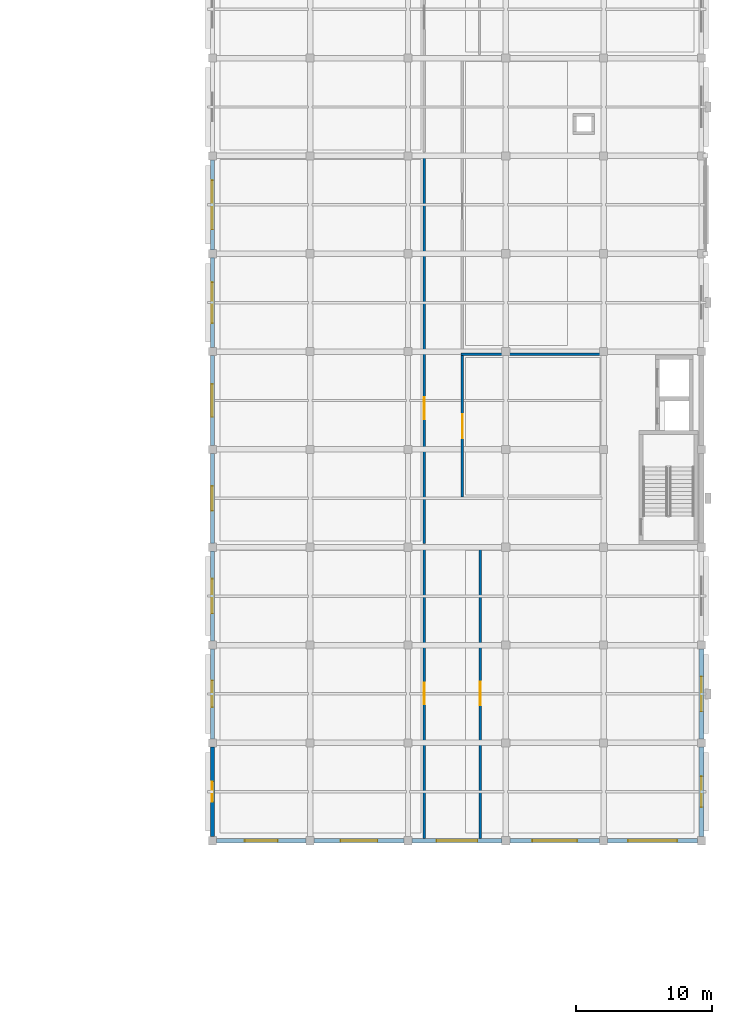
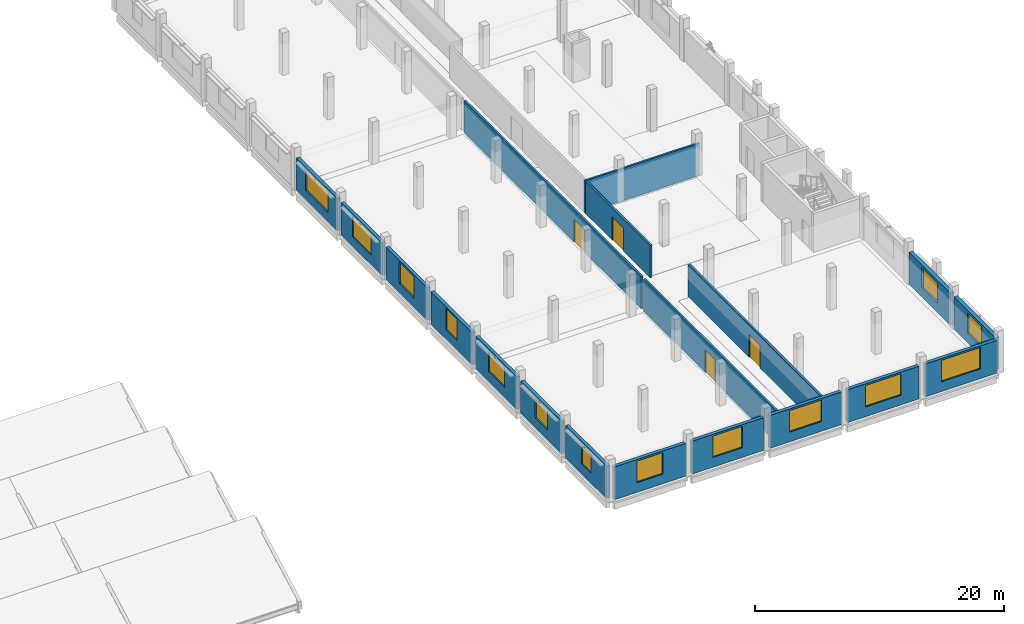
# One storey, part 37 of 51: 19 walls, 14 windows, 4 doors, 18 openings.
"""IFC4 building model written with IfcOpenShell, lengths in metres."""

from ifc_helpers import new_model, si_unit, direction, frame, frame_2d, origin, place, context, subcontext, project, spatial, rectangle, extrude, material, layer, layer_set, type_object, element, fill, save


model = new_model("IFC4")

# Units and contexts
model_context = context("Model", 3, precision=1e-05, world=origin(), true_north=direction((0.0, 1.0)))
body_context = subcontext(model_context, "Body", "Model", "MODEL_VIEW")
ifc_project = project(units=[si_unit("LENGTHUNIT", "METRE"), si_unit("AREAUNIT", "SQUARE_METRE"), si_unit("VOLUMEUNIT", "CUBIC_METRE"), si_unit("PLANEANGLEUNIT", "RADIAN"), si_unit("MASSUNIT", "GRAM", prefix="KILO")], contexts=[model_context])

# Site, building, storey
site_placement = place(None, origin())
site = spatial("IfcSite", under=ifc_project, at=site_placement, CompositionType="ELEMENT")
building_placement = place(site_placement, origin())
building = spatial("IfcBuilding", under=site, at=building_placement, Name="Valkovuoma Quantum and Materials Research Institute", CompositionType="ELEMENT")
storey_placement = place(building_placement, frame((0.0, 0.0, 17.280029296875)))
storey = spatial("IfcBuildingStorey", under=building, at=storey_placement, Name="L04", CompositionType="ELEMENT", Elevation=17.280029296875)

# Wall, opening, window
ifc_material_1 = material(Name="Precast concrete C40/50", Category="concrete")
ifc_layer_1 = layer(ifc_material_1, 0.300048828125)
ifc_layer_set_1 = layer_set([ifc_layer_1], Name="Precast concrete C40/50")
wall_type_1 = type_object("IfcWallType", Name="Wall-W-EXT300", PredefinedType="SOLIDWALL", material=ifc_layer_set_1)
wall_1_placement = place(storey_placement, frame((129.60009765625, 36.2900390625, 0.0), z_axis=(0.0, 0.0, 1.0), x_axis=(0.0, 1.0, 0.0)))
wall_1 = element("IfcWall", 1, at=wall_1_placement, inside=storey, type_object=wall_type_1, Name="L04 exterior wall 0317", PredefinedType="SOLIDWALL", context=body_context, shape_type="SweptSolid", body=[
    extrude(rectangle(XDim=6.619873046875, YDim=0.300048828125, at=frame_2d((3.31005859375, 0.0))), origin(), (0.0, 0.0, 1.0), 3.159912109375),
])
opening_1_placement = place(wall_1_placement, frame((2.56005859375, 0.0, 0.949951171875)))
opening_1 = element("IfcOpeningElement", 2, at=opening_1_placement, cuts=wall_1, Name="Opening WN-WL15", PredefinedType="OPENING", context=body_context, shape_type="SweptSolid", body=[
    extrude(rectangle(XDim=1.5, YDim=1.800048828125, at=frame_2d((0.75, 0.89990234375))), frame((0.0, 0.16015625, 0.0), z_axis=(0.0, -1.0, 0.0), x_axis=(1.0, 0.0, 0.0)), (0.0, 0.0, 1.0), 0.320068359375),
])
ifc_material_2 = material(Name="Triple low-E argon glazing in thermally broken aluminium frame", Category="aluminium")
window_type_1 = type_object("IfcWindowType", Name="Win-WN-WL15", PartitioningType="SINGLE_PANEL", PredefinedType="WINDOW", material=ifc_material_2)
window_1_placement = place(opening_1_placement, origin())
window_1 = element("IfcWindow", 3, at=window_1_placement, inside=storey, type_object=window_type_1, Name="L04 window 0323", OverallHeight=1.800048828125, OverallWidth=1.5, PartitioningType="SINGLE_PANEL", PredefinedType="WINDOW", context=body_context, shape_type="SweptSolid", body=[
    extrude(rectangle(XDim=1.5, YDim=1.800048828125, at=frame_2d((0.75, 0.89990234375))), frame((0.0, 0.030029296875, 0.0), z_axis=(0.0, -1.0, 0.0), x_axis=(1.0, 0.0, 0.0)), (0.0, 0.0, 1.0), 0.06005859375),
])
fill(opening_1, window_1)

wall_2_placement = place(storey_placement, frame((129.60009765625, 43.489990234375, 0.0), z_axis=(0.0, 0.0, 1.0), x_axis=(0.0, 1.0, 0.0)))
wall_2 = element("IfcWall", 4, at=wall_2_placement, inside=storey, type_object=wall_type_1, Name="L04 exterior wall 0318", PredefinedType="SOLIDWALL", context=body_context, shape_type="SweptSolid", body=[
    extrude(rectangle(XDim=6.6201171875, YDim=0.300048828125, at=frame_2d((3.31005859375, 0.0))), origin(), (0.0, 0.0, 1.0), 3.159912109375),
])
opening_2_placement = place(wall_2_placement, frame((2.3349609375, 0.0, 0.949951171875)))
opening_2 = element("IfcOpeningElement", 5, at=opening_2_placement, cuts=wall_2, Name="Opening WN-WL17", PredefinedType="OPENING", context=body_context, shape_type="SweptSolid", body=[
    extrude(rectangle(XDim=1.949951171875, YDim=1.949951171875, at=frame_2d((0.97509765625, 0.97509765625))), frame((0.0, 0.16015625, 0.0), z_axis=(0.0, -1.0, 0.0), x_axis=(1.0, 0.0, 0.0)), (0.0, 0.0, 1.0), 0.320068359375),
])
ifc_material_3 = material(Name="Triple low-E argon glazing in thermally broken aluminium frame", Category="aluminium")
window_type_2 = type_object("IfcWindowType", Name="Win-WN-WL17", PartitioningType="SINGLE_PANEL", PredefinedType="WINDOW", material=ifc_material_3)
window_2_placement = place(opening_2_placement, origin())
window_2 = element("IfcWindow", 6, at=window_2_placement, inside=storey, type_object=window_type_2, Name="L04 window 0324", OverallHeight=1.949951171875, OverallWidth=1.949951171875, PartitioningType="SINGLE_PANEL", PredefinedType="WINDOW", context=body_context, shape_type="SweptSolid", body=[
    extrude(rectangle(XDim=1.949951171875, YDim=1.949951171875, at=frame_2d((0.97509765625, 0.97509765625))), frame((0.0, 0.030029296875, 0.0), z_axis=(0.0, -1.0, 0.0), x_axis=(1.0, 0.0, 0.0)), (0.0, 0.0, 1.0), 0.06005859375),
])
fill(opening_2, window_2)

wall_3_placement = place(storey_placement, frame((129.60009765625, 50.68994140625, 0.0), z_axis=(0.0, 0.0, 1.0), x_axis=(0.0, 1.0, 0.0)))
wall_3 = element("IfcWall", 7, at=wall_3_placement, inside=storey, type_object=wall_type_1, Name="L04 exterior wall 0319", PredefinedType="SOLIDWALL", context=body_context, shape_type="SweptSolid", body=[
    extrude(rectangle(XDim=6.6201171875, YDim=0.300048828125, at=frame_2d((3.31005859375, 0.0))), origin(), (0.0, 0.0, 1.0), 3.159912109375),
])
opening_3_placement = place(wall_3_placement, frame((2.034912109375, 0.0, 0.949951171875)))
opening_3 = element("IfcOpeningElement", 8, at=opening_3_placement, cuts=wall_3, Name="Opening WN-WL19", PredefinedType="OPENING", context=body_context, shape_type="SweptSolid", body=[
    extrude(rectangle(XDim=2.550048828125, YDim=1.949951171875, at=frame_2d((1.27490234375, 0.97509765625))), frame((0.0, 0.16015625, 0.0), z_axis=(0.0, -1.0, 0.0), x_axis=(1.0, 0.0, 0.0)), (0.0, 0.0, 1.0), 0.320068359375),
])
ifc_material_4 = material(Name="Triple low-E argon glazing in thermally broken aluminium frame", Category="aluminium")
window_type_3 = type_object("IfcWindowType", Name="Win-WN-WL19", PartitioningType="SINGLE_PANEL", PredefinedType="WINDOW", material=ifc_material_4)
window_3_placement = place(opening_3_placement, origin())
window_3 = element("IfcWindow", 9, at=window_3_placement, inside=storey, type_object=window_type_3, Name="L04 window 0325", OverallHeight=1.949951171875, OverallWidth=2.550048828125, PartitioningType="SINGLE_PANEL", PredefinedType="WINDOW", context=body_context, shape_type="SweptSolid", body=[
    extrude(rectangle(XDim=2.550048828125, YDim=1.949951171875, at=frame_2d((1.27490234375, 0.97509765625))), frame((0.0, 0.030029296875, 0.0), z_axis=(0.0, -1.0, 0.0), x_axis=(1.0, 0.0, 0.0)), (0.0, 0.0, 1.0), 0.06005859375),
])
fill(opening_3, window_3)

wall_4_placement = place(storey_placement, frame((129.60009765625, 57.889892578125, 0.0), z_axis=(0.0, 0.0, 1.0), x_axis=(0.0, 1.0, 0.0)))
wall_4 = element("IfcWall", 10, at=wall_4_placement, inside=storey, type_object=wall_type_1, Name="L04 exterior wall 0320", PredefinedType="SOLIDWALL", context=body_context, shape_type="SweptSolid", body=[
    extrude(rectangle(XDim=6.6201171875, YDim=0.300048828125, at=frame_2d((3.31005859375, 0.0))), origin(), (0.0, 0.0, 1.0), 3.159912109375),
])
opening_4_placement = place(wall_4_placement, frame((2.409912109375, 0.0, 0.89990234375)))
opening_4 = element("IfcOpeningElement", 11, at=opening_4_placement, cuts=wall_4, Name="Opening WN-WL01", PredefinedType="OPENING", context=body_context, shape_type="SweptSolid", body=[
    extrude(rectangle(XDim=1.800048828125, YDim=2.10009765625, at=frame_2d((0.89990234375, 1.050048828125))), frame((0.0, 0.16015625, 0.0), z_axis=(0.0, -1.0, 0.0), x_axis=(1.0, 0.0, 0.0)), (0.0, 0.0, 1.0), 0.320068359375),
])
ifc_material_5 = material(Name="Triple low-E argon glazing in thermally broken aluminium frame", Category="aluminium")
window_type_4 = type_object("IfcWindowType", Name="Win-WN-WL01", PartitioningType="SINGLE_PANEL", PredefinedType="WINDOW", material=ifc_material_5)
window_4_placement = place(opening_4_placement, origin())
window_4 = element("IfcWindow", 12, at=window_4_placement, inside=storey, type_object=window_type_4, Name="L04 window 0326", OverallHeight=2.10009765625, OverallWidth=1.800048828125, PartitioningType="SINGLE_PANEL", PredefinedType="WINDOW", context=body_context, shape_type="SweptSolid", body=[
    extrude(rectangle(XDim=1.800048828125, YDim=2.10009765625, at=frame_2d((0.89990234375, 1.050048828125))), frame((0.0, 0.030029296875, 0.0), z_axis=(0.0, -1.0, 0.0), x_axis=(1.0, 0.0, 0.0)), (0.0, 0.0, 1.0), 0.06005859375),
])
fill(opening_4, window_4)

wall_5_placement = place(storey_placement, frame((129.60009765625, 65.090087890625, 0.0), z_axis=(0.0, 0.0, 1.0), x_axis=(0.0, 1.0, 0.0)))
wall_5 = element("IfcWall", 13, at=wall_5_placement, inside=storey, type_object=wall_type_1, Name="L04 exterior wall 0321", PredefinedType="SOLIDWALL", context=body_context, shape_type="SweptSolid", body=[
    extrude(rectangle(XDim=6.619873046875, YDim=0.300048828125, at=frame_2d((3.31005859375, 0.0))), origin(), (0.0, 0.0, 1.0), 3.159912109375),
])
opening_5_placement = place(wall_5_placement, frame((2.110107421875, 0.0, 0.89990234375)))
opening_5 = element("IfcOpeningElement", 14, at=opening_5_placement, cuts=wall_5, Name="Opening WN-WL03", PredefinedType="OPENING", context=body_context, shape_type="SweptSolid", body=[
    extrude(rectangle(XDim=2.39990234375, YDim=2.10009765625, at=frame_2d((1.199951171875, 1.050048828125))), frame((0.0, 0.16015625, 0.0), z_axis=(0.0, -1.0, 0.0), x_axis=(1.0, 0.0, 0.0)), (0.0, 0.0, 1.0), 0.320068359375),
])
ifc_material_6 = material(Name="Triple low-E argon glazing in thermally broken aluminium frame", Category="aluminium")
window_type_5 = type_object("IfcWindowType", Name="Win-WN-WL03", PartitioningType="SINGLE_PANEL", PredefinedType="WINDOW", material=ifc_material_6)
window_5_placement = place(opening_5_placement, origin())
window_5 = element("IfcWindow", 15, at=window_5_placement, inside=storey, type_object=window_type_5, Name="L04 window 0327", OverallHeight=2.10009765625, OverallWidth=2.39990234375, PartitioningType="SINGLE_PANEL", PredefinedType="WINDOW", context=body_context, shape_type="SweptSolid", body=[
    extrude(rectangle(XDim=2.39990234375, YDim=2.10009765625, at=frame_2d((1.199951171875, 1.050048828125))), frame((0.0, 0.030029296875, 0.0), z_axis=(0.0, -1.0, 0.0), x_axis=(1.0, 0.0, 0.0)), (0.0, 0.0, 1.0), 0.06005859375),
])
fill(opening_5, window_5)

wall_6_placement = place(storey_placement, frame((129.60009765625, 72.2900390625, 0.0), z_axis=(0.0, 0.0, 1.0), x_axis=(0.0, 1.0, 0.0)))
wall_6 = element("IfcWall", 16, at=wall_6_placement, inside=storey, type_object=wall_type_1, Name="L04 exterior wall 0322", PredefinedType="SOLIDWALL", context=body_context, shape_type="SweptSolid", body=[
    extrude(rectangle(XDim=6.619873046875, YDim=0.300048828125, at=frame_2d((3.31005859375, 0.0))), origin(), (0.0, 0.0, 1.0), 3.159912109375),
])
opening_6_placement = place(wall_6_placement, frame((1.81005859375, 0.0, 0.89990234375)))
opening_6 = element("IfcOpeningElement", 17, at=opening_6_placement, cuts=wall_6, Name="Opening WN-WL05", PredefinedType="OPENING", context=body_context, shape_type="SweptSolid", body=[
    extrude(rectangle(XDim=3.0, YDim=2.10009765625, at=frame_2d((1.5, 1.050048828125))), frame((0.0, 0.16015625, 0.0), z_axis=(0.0, -1.0, 0.0), x_axis=(1.0, 0.0, 0.0)), (0.0, 0.0, 1.0), 0.320068359375),
])
ifc_material_7 = material(Name="Triple low-E argon glazing in thermally broken aluminium frame", Category="aluminium")
window_type_6 = type_object("IfcWindowType", Name="Win-WN-WL05", PartitioningType="SINGLE_PANEL", PredefinedType="WINDOW", material=ifc_material_7)
window_6_placement = place(opening_6_placement, origin())
window_6 = element("IfcWindow", 18, at=window_6_placement, inside=storey, type_object=window_type_6, Name="L04 window 0328", OverallHeight=2.10009765625, OverallWidth=3.0, PartitioningType="SINGLE_PANEL", PredefinedType="WINDOW", context=body_context, shape_type="SweptSolid", body=[
    extrude(rectangle(XDim=3.0, YDim=2.10009765625, at=frame_2d((1.5, 1.050048828125))), frame((0.0, 0.030029296875, 0.0), z_axis=(0.0, -1.0, 0.0), x_axis=(1.0, 0.0, 0.0)), (0.0, 0.0, 1.0), 0.06005859375),
])
fill(opening_6, window_6)

wall_7_placement = place(storey_placement, frame((129.60009765625, 79.489990234375, 0.0), z_axis=(0.0, 0.0, 1.0), x_axis=(0.0, 1.0, 0.0)))
wall_7 = element("IfcWall", 19, at=wall_7_placement, inside=storey, type_object=wall_type_1, Name="L04 exterior wall 0323", PredefinedType="SOLIDWALL", context=body_context, shape_type="SweptSolid", body=[
    extrude(rectangle(XDim=6.6201171875, YDim=0.300048828125, at=frame_2d((3.31005859375, 0.0))), origin(), (0.0, 0.0, 1.0), 3.159912109375),
])
opening_7_placement = place(wall_7_placement, frame((1.510009765625, 0.0, 0.89990234375)))
opening_7 = element("IfcOpeningElement", 20, at=opening_7_placement, cuts=wall_7, Name="Opening WN-WL07", PredefinedType="OPENING", context=body_context, shape_type="SweptSolid", body=[
    extrude(rectangle(XDim=3.60009765625, YDim=2.10009765625, at=frame_2d((1.800048828125, 1.050048828125))), frame((0.0, 0.16015625, 0.0), z_axis=(0.0, -1.0, 0.0), x_axis=(1.0, 0.0, 0.0)), (0.0, 0.0, 1.0), 0.320068359375),
])
ifc_material_8 = material(Name="Triple low-E argon glazing in thermally broken aluminium frame", Category="aluminium")
window_type_7 = type_object("IfcWindowType", Name="Win-WN-WL07", PartitioningType="SINGLE_PANEL", PredefinedType="WINDOW", material=ifc_material_8)
window_7_placement = place(opening_7_placement, origin())
window_7 = element("IfcWindow", 21, at=window_7_placement, inside=storey, type_object=window_type_7, Name="L04 window 0329", OverallHeight=2.10009765625, OverallWidth=3.60009765625, PartitioningType="SINGLE_PANEL", PredefinedType="WINDOW", context=body_context, shape_type="SweptSolid", body=[
    extrude(rectangle(XDim=3.60009765625, YDim=2.10009765625, at=frame_2d((1.800048828125, 1.050048828125))), frame((0.0, 0.030029296875, 0.0), z_axis=(0.0, -1.0, 0.0), x_axis=(1.0, 0.0, 0.0)), (0.0, 0.0, 1.0), 0.06005859375),
])
fill(opening_7, window_7)

ifc_material_9 = material(Name="Precast concrete C40/50", Category="concrete")
ifc_layer_2 = layer(ifc_material_9, 0.320068359375)
ifc_layer_set_2 = layer_set([ifc_layer_2], Name="Precast concrete C40/50")
wall_type_2 = type_object("IfcWallType", Name="Wall-W-EXT320", PredefinedType="SOLIDWALL", material=ifc_layer_set_2)
wall_8_placement = place(storey_placement, frame((129.889892578125, 36.0, 0.0), z_axis=(0.0, 0.0, 1.0), x_axis=(1.0, 0.0, 0.0)))
wall_8 = element("IfcWall", 22, at=wall_8_placement, inside=storey, type_object=wall_type_2, Name="L04 exterior wall 0328", PredefinedType="SOLIDWALL", context=body_context, shape_type="SweptSolid", body=[
    extrude(rectangle(XDim=6.6201171875, YDim=0.320068359375, at=frame_2d((3.31005859375, 0.0))), origin(), (0.0, 0.0, 1.0), 3.2099609375),
])
opening_8_placement = place(wall_8_placement, frame((2.110107421875, 0.0, 0.949951171875)))
opening_8 = element("IfcOpeningElement", 23, at=opening_8_placement, cuts=wall_8, Name="Opening WN-WL03", PredefinedType="OPENING", context=body_context, shape_type="SweptSolid", body=[
    extrude(rectangle(XDim=2.39990234375, YDim=2.10009765625, at=frame_2d((1.199951171875, 1.050048828125))), frame((0.0, 0.169921875, 0.0), z_axis=(0.0, -1.0, 0.0), x_axis=(1.0, 0.0, 0.0)), (0.0, 0.0, 1.0), 0.340087890625),
])
window_8_placement = place(opening_8_placement, origin())
window_8 = element("IfcWindow", 24, at=window_8_placement, inside=storey, type_object=window_type_5, Name="L04 window 0334", OverallHeight=2.10009765625, OverallWidth=2.39990234375, PartitioningType="SINGLE_PANEL", PredefinedType="WINDOW", context=body_context, shape_type="SweptSolid", body=[
    extrude(rectangle(XDim=2.39990234375, YDim=2.10009765625, at=frame_2d((1.199951171875, 1.050048828125))), frame((0.0, 0.030029296875, 0.0), z_axis=(0.0, -1.0, 0.0), x_axis=(1.0, 0.0, 0.0)), (0.0, 0.0, 1.0), 0.06005859375),
])
fill(opening_8, window_8)

wall_9_placement = place(storey_placement, frame((137.090087890625, 36.0, 0.0), z_axis=(0.0, 0.0, 1.0), x_axis=(1.0, 0.0, 0.0)))
wall_9 = element("IfcWall", 25, at=wall_9_placement, inside=storey, type_object=wall_type_2, Name="L04 exterior wall 0329", PredefinedType="SOLIDWALL", context=body_context, shape_type="SweptSolid", body=[
    extrude(rectangle(XDim=6.619873046875, YDim=0.320068359375, at=frame_2d((3.31005859375, 0.0))), origin(), (0.0, 0.0, 1.0), 3.2099609375),
])
opening_9_placement = place(wall_9_placement, frame((1.9599609375, 0.0, 0.949951171875)))
opening_9 = element("IfcOpeningElement", 26, at=opening_9_placement, cuts=wall_9, Name="Opening WN-WL04", PredefinedType="OPENING", context=body_context, shape_type="SweptSolid", body=[
    extrude(rectangle(XDim=2.699951171875, YDim=2.10009765625, at=frame_2d((1.35009765625, 1.050048828125))), frame((0.0, 0.169921875, 0.0), z_axis=(0.0, -1.0, 0.0), x_axis=(1.0, 0.0, 0.0)), (0.0, 0.0, 1.0), 0.340087890625),
])
ifc_material_10 = material(Name="Triple low-E argon glazing in thermally broken aluminium frame", Category="aluminium")
window_type_8 = type_object("IfcWindowType", Name="Win-WN-WL04", PartitioningType="SINGLE_PANEL", PredefinedType="WINDOW", material=ifc_material_10)
window_9_placement = place(opening_9_placement, origin())
window_9 = element("IfcWindow", 27, at=window_9_placement, inside=storey, type_object=window_type_8, Name="L04 window 0335", OverallHeight=2.10009765625, OverallWidth=2.699951171875, PartitioningType="SINGLE_PANEL", PredefinedType="WINDOW", context=body_context, shape_type="SweptSolid", body=[
    extrude(rectangle(XDim=2.699951171875, YDim=2.10009765625, at=frame_2d((1.35009765625, 1.050048828125))), frame((0.0, 0.030029296875, 0.0), z_axis=(0.0, -1.0, 0.0), x_axis=(1.0, 0.0, 0.0)), (0.0, 0.0, 1.0), 0.06005859375),
])
fill(opening_9, window_9)

wall_10_placement = place(storey_placement, frame((144.2900390625, 36.0, 0.0), z_axis=(0.0, 0.0, 1.0), x_axis=(1.0, 0.0, 0.0)))
wall_10 = element("IfcWall", 28, at=wall_10_placement, inside=storey, type_object=wall_type_2, Name="L04 exterior wall 0330", PredefinedType="SOLIDWALL", context=body_context, shape_type="SweptSolid", body=[
    extrude(rectangle(XDim=6.619873046875, YDim=0.320068359375, at=frame_2d((3.31005859375, 0.0))), origin(), (0.0, 0.0, 1.0), 3.2099609375),
])
opening_10_placement = place(wall_10_placement, frame((1.81005859375, 0.0, 0.949951171875)))
opening_10 = element("IfcOpeningElement", 29, at=opening_10_placement, cuts=wall_10, Name="Opening WN-WL05", PredefinedType="OPENING", context=body_context, shape_type="SweptSolid", body=[
    extrude(rectangle(XDim=3.0, YDim=2.10009765625, at=frame_2d((1.5, 1.050048828125))), frame((0.0, 0.169921875, 0.0), z_axis=(0.0, -1.0, 0.0), x_axis=(1.0, 0.0, 0.0)), (0.0, 0.0, 1.0), 0.340087890625),
])
window_10_placement = place(opening_10_placement, origin())
window_10 = element("IfcWindow", 30, at=window_10_placement, inside=storey, type_object=window_type_6, Name="L04 window 0336", OverallHeight=2.10009765625, OverallWidth=3.0, PartitioningType="SINGLE_PANEL", PredefinedType="WINDOW", context=body_context, shape_type="SweptSolid", body=[
    extrude(rectangle(XDim=3.0, YDim=2.10009765625, at=frame_2d((1.5, 1.050048828125))), frame((0.0, 0.030029296875, 0.0), z_axis=(0.0, -1.0, 0.0), x_axis=(1.0, 0.0, 0.0)), (0.0, 0.0, 1.0), 0.06005859375),
])
fill(opening_10, window_10)

wall_11_placement = place(storey_placement, frame((151.489990234375, 36.0, 0.0), z_axis=(0.0, 0.0, 1.0), x_axis=(1.0, 0.0, 0.0)))
wall_11 = element("IfcWall", 31, at=wall_11_placement, inside=storey, type_object=wall_type_2, Name="L04 exterior wall 0331", PredefinedType="SOLIDWALL", context=body_context, shape_type="SweptSolid", body=[
    extrude(rectangle(XDim=6.6201171875, YDim=0.320068359375, at=frame_2d((3.31005859375, 0.0))), origin(), (0.0, 0.0, 1.0), 3.2099609375),
])
opening_11_placement = place(wall_11_placement, frame((1.659912109375, 0.0, 0.949951171875)))
opening_11 = element("IfcOpeningElement", 32, at=opening_11_placement, cuts=wall_11, Name="Opening WN-WL06", PredefinedType="OPENING", context=body_context, shape_type="SweptSolid", body=[
    extrude(rectangle(XDim=3.300048828125, YDim=2.10009765625, at=frame_2d((1.64990234375, 1.050048828125))), frame((0.0, 0.169921875, 0.0), z_axis=(0.0, -1.0, 0.0), x_axis=(1.0, 0.0, 0.0)), (0.0, 0.0, 1.0), 0.340087890625),
])
ifc_material_11 = material(Name="Triple low-E argon glazing in thermally broken aluminium frame", Category="aluminium")
window_type_9 = type_object("IfcWindowType", Name="Win-WN-WL06", PartitioningType="SINGLE_PANEL", PredefinedType="WINDOW", material=ifc_material_11)
window_11_placement = place(opening_11_placement, origin())
window_11 = element("IfcWindow", 33, at=window_11_placement, inside=storey, type_object=window_type_9, Name="L04 window 0337", OverallHeight=2.10009765625, OverallWidth=3.300048828125, PartitioningType="SINGLE_PANEL", PredefinedType="WINDOW", context=body_context, shape_type="SweptSolid", body=[
    extrude(rectangle(XDim=3.300048828125, YDim=2.10009765625, at=frame_2d((1.64990234375, 1.050048828125))), frame((0.0, 0.030029296875, 0.0), z_axis=(0.0, -1.0, 0.0), x_axis=(1.0, 0.0, 0.0)), (0.0, 0.0, 1.0), 0.06005859375),
])
fill(opening_11, window_11)

wall_12_placement = place(storey_placement, frame((158.68994140625, 36.0, 0.0), z_axis=(0.0, 0.0, 1.0), x_axis=(1.0, 0.0, 0.0)))
wall_12 = element("IfcWall", 34, at=wall_12_placement, inside=storey, type_object=wall_type_2, Name="L04 exterior wall 0332", PredefinedType="SOLIDWALL", context=body_context, shape_type="SweptSolid", body=[
    extrude(rectangle(XDim=6.6201171875, YDim=0.320068359375, at=frame_2d((3.31005859375, 0.0))), origin(), (0.0, 0.0, 1.0), 3.2099609375),
])
opening_12_placement = place(wall_12_placement, frame((1.510009765625, 0.0, 0.949951171875)))
opening_12 = element("IfcOpeningElement", 35, at=opening_12_placement, cuts=wall_12, Name="Opening WN-WL07", PredefinedType="OPENING", context=body_context, shape_type="SweptSolid", body=[
    extrude(rectangle(XDim=3.60009765625, YDim=2.10009765625, at=frame_2d((1.800048828125, 1.050048828125))), frame((0.0, 0.169921875, 0.0), z_axis=(0.0, -1.0, 0.0), x_axis=(1.0, 0.0, 0.0)), (0.0, 0.0, 1.0), 0.340087890625),
])
window_12_placement = place(opening_12_placement, origin())
window_12 = element("IfcWindow", 36, at=window_12_placement, inside=storey, type_object=window_type_7, Name="L04 window 0338", OverallHeight=2.10009765625, OverallWidth=3.60009765625, PartitioningType="SINGLE_PANEL", PredefinedType="WINDOW", context=body_context, shape_type="SweptSolid", body=[
    extrude(rectangle(XDim=3.60009765625, YDim=2.10009765625, at=frame_2d((1.800048828125, 1.050048828125))), frame((0.0, 0.030029296875, 0.0), z_axis=(0.0, -1.0, 0.0), x_axis=(1.0, 0.0, 0.0)), (0.0, 0.0, 1.0), 0.06005859375),
])
fill(opening_12, window_12)

ifc_material_12 = material(Name="Precast concrete C40/50", Category="concrete")
ifc_layer_3 = layer(ifc_material_12, 0.360107421875)
ifc_layer_set_3 = layer_set([ifc_layer_3], Name="Precast concrete C40/50")
wall_type_3 = type_object("IfcWallType", Name="Wall-W-EXT360", PredefinedType="SOLIDWALL", material=ifc_layer_set_3)
wall_13_placement = place(storey_placement, frame((165.60009765625, 36.2900390625, 0.0), z_axis=(0.0, 0.0, 1.0), x_axis=(0.0, 1.0, 0.0)))
wall_13 = element("IfcWall", 37, at=wall_13_placement, inside=storey, type_object=wall_type_3, Name="L04 exterior wall 0301", PredefinedType="SOLIDWALL", context=body_context, shape_type="SweptSolid", body=[
    extrude(rectangle(XDim=6.619873046875, YDim=0.360107421875, at=frame_2d((3.31005859375, 0.0))), origin(), (0.0, 0.0, 1.0), 3.159912109375),
])
opening_13_placement = place(wall_13_placement, frame((2.18505859375, 0.0, 0.949951171875)))
opening_13 = element("IfcOpeningElement", 38, at=opening_13_placement, cuts=wall_13, Name="Opening WN-WL18", PredefinedType="OPENING", context=body_context, shape_type="SweptSolid", body=[
    extrude(rectangle(XDim=2.25, YDim=1.949951171875, at=frame_2d((1.125, 0.97509765625))), frame((0.0, 0.18994140625, 0.0), z_axis=(0.0, -1.0, 0.0), x_axis=(1.0, 0.0, 0.0)), (0.0, 0.0, 1.0), 0.380126953125),
])
ifc_material_13 = material(Name="Triple low-E argon glazing in thermally broken aluminium frame", Category="aluminium")
window_type_10 = type_object("IfcWindowType", Name="Win-WN-WL18", PartitioningType="SINGLE_PANEL", PredefinedType="WINDOW", material=ifc_material_13)
window_13_placement = place(opening_13_placement, origin())
window_13 = element("IfcWindow", 39, at=window_13_placement, inside=storey, type_object=window_type_10, Name="L04 window 0312", OverallHeight=1.949951171875, OverallWidth=2.25, PartitioningType="SINGLE_PANEL", PredefinedType="WINDOW", context=body_context, shape_type="SweptSolid", body=[
    extrude(rectangle(XDim=2.25, YDim=1.949951171875, at=frame_2d((1.125, 0.97509765625))), frame((0.0, 0.030029296875, 0.0), z_axis=(0.0, -1.0, 0.0), x_axis=(1.0, 0.0, 0.0)), (0.0, 0.0, 1.0), 0.06005859375),
])
fill(opening_13, window_13)

wall_14_placement = place(storey_placement, frame((165.60009765625, 43.489990234375, 0.0), z_axis=(0.0, 0.0, 1.0), x_axis=(0.0, 1.0, 0.0)))
wall_14 = element("IfcWall", 40, at=wall_14_placement, inside=storey, type_object=wall_type_3, Name="L04 exterior wall 0302", PredefinedType="SOLIDWALL", context=body_context, shape_type="SweptSolid", body=[
    extrude(rectangle(XDim=6.6201171875, YDim=0.360107421875, at=frame_2d((3.31005859375, 0.0))), origin(), (0.0, 0.0, 1.0), 3.159912109375),
])
opening_14_placement = place(wall_14_placement, frame((2.034912109375, 0.0, 0.949951171875)))
opening_14 = element("IfcOpeningElement", 41, at=opening_14_placement, cuts=wall_14, Name="Opening WN-WL19", PredefinedType="OPENING", context=body_context, shape_type="SweptSolid", body=[
    extrude(rectangle(XDim=2.550048828125, YDim=1.949951171875, at=frame_2d((1.27490234375, 0.97509765625))), frame((0.0, 0.18994140625, 0.0), z_axis=(0.0, -1.0, 0.0), x_axis=(1.0, 0.0, 0.0)), (0.0, 0.0, 1.0), 0.380126953125),
])
window_14_placement = place(opening_14_placement, origin())
window_14 = element("IfcWindow", 42, at=window_14_placement, inside=storey, type_object=window_type_3, Name="L04 window 0313", OverallHeight=1.949951171875, OverallWidth=2.550048828125, PartitioningType="SINGLE_PANEL", PredefinedType="WINDOW", context=body_context, shape_type="SweptSolid", body=[
    extrude(rectangle(XDim=2.550048828125, YDim=1.949951171875, at=frame_2d((1.27490234375, 0.97509765625))), frame((0.0, 0.030029296875, 0.0), z_axis=(0.0, -1.0, 0.0), x_axis=(1.0, 0.0, 0.0)), (0.0, 0.0, 1.0), 0.06005859375),
])
fill(opening_14, window_14)

# Wall, opening, door
ifc_material_14 = material(Name="Laboratory fire-rated gypsum partition", Category="masonry")
ifc_layer_4 = layer(ifc_material_14, 0.179931640625)
ifc_layer_set_4 = layer_set([ifc_layer_4], Name="Laboratory fire-rated gypsum partition")
wall_type_4 = type_object("IfcWallType", Name="Wall-W-PRT180", PredefinedType="PARTITIONING", material=ifc_layer_set_4)
wall_15_placement = place(storey_placement, frame((145.199951171875, 36.159912109375, 0.0), z_axis=(0.0, 0.0, 1.0), x_axis=(0.0, 1.0, 0.0)))
wall_15 = element("IfcWall", 43, at=wall_15_placement, inside=storey, type_object=wall_type_4, Name="L04 partition 0193", PredefinedType="PARTITIONING", context=body_context, shape_type="SweptSolid", body=[
    extrude(rectangle(XDim=21.35009765625, YDim=0.179931640625, at=frame_2d((10.675048828125, 0.0))), origin(), (0.0, 0.0, 1.0), 3.159912109375),
])
opening_15_placement = place(wall_15_placement, frame((9.885009765625, 0.0, 0.0)))
opening_15 = element("IfcOpeningElement", 44, at=opening_15_placement, cuts=wall_15, Name="Opening ID-0138", PredefinedType="OPENING", context=body_context, shape_type="SweptSolid", body=[
    extrude(rectangle(XDim=1.580078125, YDim=2.219970703125, at=frame_2d((0.7900390625, 1.10986328125))), frame((0.0, 0.10009765625, 0.0), z_axis=(0.0, -1.0, 0.0), x_axis=(1.0, 0.0, 0.0)), (0.0, 0.0, 1.0), 0.199951171875),
])
ifc_material_15 = material(Name="Powder-coated steel and acoustic timber door assembly", Category="steel")
door_type_1 = type_object("IfcDoorType", Name="Door-DR-RM14", OperationType="NOTDEFINED", PredefinedType="DOOR", material=ifc_material_15)
door_1_placement = place(opening_15_placement, origin())
door_1 = element("IfcDoor", 45, at=door_1_placement, inside=storey, type_object=door_type_1, Name="L04 room door 0138", OperationType="DOUBLE_DOOR_SINGLE_SWING", OverallHeight=2.219970703125, OverallWidth=1.580078125, PredefinedType="DOOR", context=body_context, shape_type="SweptSolid", body=[
    extrude(rectangle(XDim=1.580078125, YDim=2.219970703125, at=frame_2d((0.7900390625, 1.10986328125))), frame((0.0, 0.02490234375, 0.0), z_axis=(0.0, -1.0, 0.0), x_axis=(1.0, 0.0, 0.0)), (0.0, 0.0, 1.0), 0.050048828125),
])
fill(opening_15, door_1)

wall_16_placement = place(storey_placement, frame((145.199951171875, 57.889892578125, 0.0), z_axis=(0.0, 0.0, 1.0), x_axis=(0.0, 1.0, 0.0)))
wall_16 = element("IfcWall", 46, at=wall_16_placement, inside=storey, type_object=wall_type_4, Name="L04 partition 0194", PredefinedType="PARTITIONING", context=body_context, shape_type="SweptSolid", body=[
    extrude(rectangle(XDim=28.420166015625, YDim=0.179931640625, at=frame_2d((14.2099609375, 0.0))), origin(), (0.0, 0.0, 1.0), 3.159912109375),
])
opening_16_placement = place(wall_16_placement, frame((9.132080078125, 0.0, 0.0)))
opening_16 = element("IfcOpeningElement", 47, at=opening_16_placement, cuts=wall_16, Name="Opening ID-0139", PredefinedType="OPENING", context=body_context, shape_type="SweptSolid", body=[
    extrude(rectangle(XDim=1.6298828125, YDim=2.219970703125, at=frame_2d((0.81494140625, 1.10986328125))), frame((0.0, 0.10009765625, 0.0), z_axis=(0.0, -1.0, 0.0), x_axis=(1.0, 0.0, 0.0)), (0.0, 0.0, 1.0), 0.199951171875),
])
ifc_material_16 = material(Name="Powder-coated steel and acoustic timber door assembly", Category="steel")
door_type_2 = type_object("IfcDoorType", Name="Door-DR-RM15", OperationType="NOTDEFINED", PredefinedType="DOOR", material=ifc_material_16)
door_2_placement = place(opening_16_placement, origin())
door_2 = element("IfcDoor", 48, at=door_2_placement, inside=storey, type_object=door_type_2, Name="L04 room door 0139", OperationType="DOUBLE_DOOR_SINGLE_SWING", OverallHeight=2.219970703125, OverallWidth=1.6298828125, PredefinedType="DOOR", context=body_context, shape_type="SweptSolid", body=[
    extrude(rectangle(XDim=1.6298828125, YDim=2.219970703125, at=frame_2d((0.81494140625, 1.10986328125))), frame((0.0, 0.02490234375, 0.0), z_axis=(0.0, -1.0, 0.0), x_axis=(1.0, 0.0, 0.0)), (0.0, 0.0, 1.0), 0.050048828125),
])
fill(opening_16, door_2)

# Wall
wall_17_placement = place(storey_placement, frame((147.909912109375, 71.800048828125, 0.0), z_axis=(0.0, 0.0, 1.0), x_axis=(1.0, 0.0, 0.0)))
element("IfcWall", 49, at=wall_17_placement, inside=storey, type_object=wall_type_4, Name="L04 partition 0197", PredefinedType="PARTITIONING", context=body_context, shape_type="SweptSolid", body=[
    extrude(rectangle(XDim=10.580078125, YDim=0.179931640625, at=frame_2d((5.2900390625, 0.0))), origin(), (0.0, 0.0, 1.0), 3.159912109375),
])

# Wall, opening, door
wall_18_placement = place(storey_placement, frame((148.0, 61.2900390625, 0.0), z_axis=(0.0, 0.0, 1.0), x_axis=(0.0, 1.0, 0.0)))
wall_18 = element("IfcWall", 50, at=wall_18_placement, inside=storey, type_object=wall_type_4, Name="L04 partition 0198", PredefinedType="PARTITIONING", context=body_context, shape_type="SweptSolid", body=[
    extrude(rectangle(XDim=10.419921875, YDim=0.179931640625, at=frame_2d((5.2099609375, 0.0))), origin(), (0.0, 0.0, 1.0), 3.159912109375),
])
opening_17_placement = place(wall_18_placement, frame((4.320068359375, 0.0, 0.0)))
opening_17 = element("IfcOpeningElement", 51, at=opening_17_placement, cuts=wall_18, Name="Opening ID-0142", PredefinedType="OPENING", context=body_context, shape_type="SweptSolid", body=[
    extrude(rectangle(XDim=1.780029296875, YDim=2.260009765625, at=frame_2d((0.89013671875, 1.1298828125))), frame((0.0, 0.10009765625, 0.0), z_axis=(0.0, -1.0, 0.0), x_axis=(1.0, 0.0, 0.0)), (0.0, 0.0, 1.0), 0.199951171875),
])
ifc_material_17 = material(Name="Powder-coated steel and acoustic timber door assembly", Category="steel")
door_type_3 = type_object("IfcDoorType", Name="Door-DR-RM18", OperationType="NOTDEFINED", PredefinedType="DOOR", material=ifc_material_17)
door_3_placement = place(opening_17_placement, origin())
door_3 = element("IfcDoor", 52, at=door_3_placement, inside=storey, type_object=door_type_3, Name="L04 room door 0142", OperationType="DOUBLE_DOOR_SINGLE_SWING", OverallHeight=2.260009765625, OverallWidth=1.780029296875, PredefinedType="DOOR", context=body_context, shape_type="SweptSolid", body=[
    extrude(rectangle(XDim=1.780029296875, YDim=2.260009765625, at=frame_2d((0.89013671875, 1.1298828125))), frame((0.0, 0.02490234375, 0.0), z_axis=(0.0, -1.0, 0.0), x_axis=(1.0, 0.0, 0.0)), (0.0, 0.0, 1.0), 0.050048828125),
])
fill(opening_17, door_3)

ifc_material_18 = material(Name="Acoustic double-stud gypsum and mineral wool partition", Category="masonry")
ifc_layer_5 = layer(ifc_material_18, 0.199951171875)
ifc_layer_set_5 = layer_set([ifc_layer_5], Name="Acoustic double-stud gypsum and mineral wool partition")
wall_type_5 = type_object("IfcWallType", Name="Wall-W-PRT200", PredefinedType="PARTITIONING", material=ifc_layer_set_5)
wall_19_placement = place(storey_placement, frame((149.320068359375, 36.159912109375, 0.0), z_axis=(0.0, 0.0, 1.0), x_axis=(0.0, 1.0, 0.0)))
wall_19 = element("IfcWall", 53, at=wall_19_placement, inside=storey, type_object=wall_type_5, Name="L04 partition 0196", PredefinedType="PARTITIONING", context=body_context, shape_type="SweptSolid", body=[
    extrude(rectangle(XDim=21.340087890625, YDim=0.199951171875, at=frame_2d((10.669921875, 0.0))), origin(), (0.0, 0.0, 1.0), 3.159912109375),
])
opening_18_placement = place(wall_19_placement, frame((9.81005859375, 0.0, 0.0)))
opening_18 = element("IfcOpeningElement", 54, at=opening_18_placement, cuts=wall_19, Name="Opening ID-0141", PredefinedType="OPENING", context=body_context, shape_type="SweptSolid", body=[
    extrude(rectangle(XDim=1.719970703125, YDim=2.260009765625, at=frame_2d((0.85986328125, 1.1298828125))), frame((0.0, 0.10986328125, 0.0), z_axis=(0.0, -1.0, 0.0), x_axis=(1.0, 0.0, 0.0)), (0.0, 0.0, 1.0), 0.219970703125),
])
ifc_material_19 = material(Name="Powder-coated steel and acoustic timber door assembly", Category="steel")
door_type_4 = type_object("IfcDoorType", Name="Door-DR-RM17", OperationType="NOTDEFINED", PredefinedType="DOOR", material=ifc_material_19)
door_4_placement = place(opening_18_placement, origin())
door_4 = element("IfcDoor", 55, at=door_4_placement, inside=storey, type_object=door_type_4, Name="L04 room door 0141", OperationType="DOUBLE_DOOR_SINGLE_SWING", OverallHeight=2.260009765625, OverallWidth=1.719970703125, PredefinedType="DOOR", context=body_context, shape_type="SweptSolid", body=[
    extrude(rectangle(XDim=1.719970703125, YDim=2.260009765625, at=frame_2d((0.85986328125, 1.1298828125))), frame((0.0, 0.02490234375, 0.0), z_axis=(0.0, -1.0, 0.0), x_axis=(1.0, 0.0, 0.0)), (0.0, 0.0, 1.0), 0.050048828125),
])
fill(opening_18, door_4)

save(model, "model.ifc")
